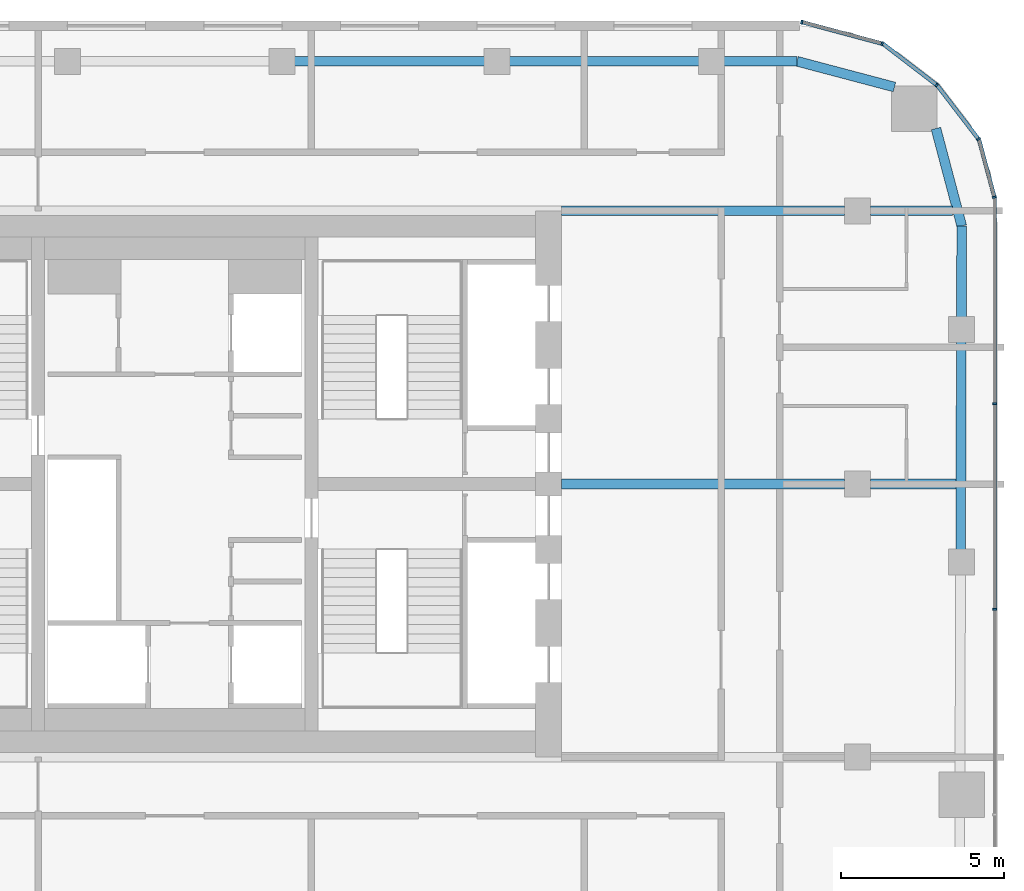
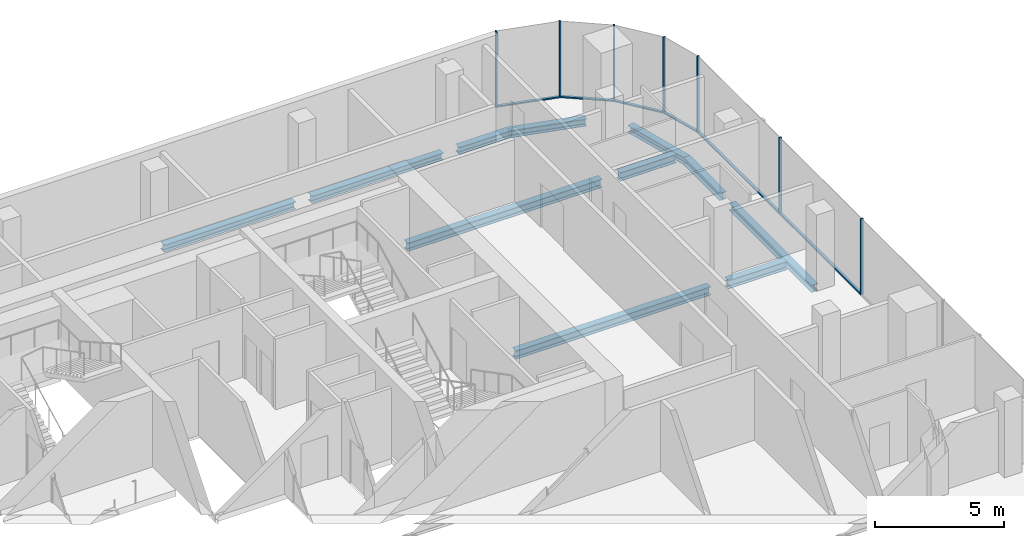
# One storey, part 11 of 21: 13 members, 11 beams, 5 elements without a shape of their own.
"""IFC4 building model written with IfcOpenShell, lengths in metres."""

from ifc_helpers import new_model, si_unit, direction, frame, origin, origin_2d, place, context, subcontext, project, spatial, rectangle, i_section, extrude, material, layer, layer_set, material_profile, profile_set, type_object, element, aggregate, save


model = new_model("IFC4")

# Units and contexts
model_context = context("Model", 3, precision=1e-05, world=origin(), true_north=direction((0.0, 1.0)))
body_context = subcontext(model_context, "Body", "Model", "MODEL_VIEW")
ifc_project = project(units=[si_unit("LENGTHUNIT", "METRE"), si_unit("AREAUNIT", "SQUARE_METRE"), si_unit("VOLUMEUNIT", "CUBIC_METRE"), si_unit("PLANEANGLEUNIT", "RADIAN"), si_unit("MASSUNIT", "GRAM", prefix="KILO")], contexts=[model_context])

# Site, building, storey
site_placement = place(None, origin())
site = spatial("IfcSite", under=ifc_project, at=site_placement, CompositionType="ELEMENT")
building_placement = place(site_placement, origin())
building = spatial("IfcBuilding", under=site, at=building_placement, Name="Marenta Gate Hotel Tower", CompositionType="ELEMENT")
storey_placement = place(building_placement, frame((0.0, 0.0, 202.10009765625)))
storey = spatial("IfcBuildingStorey", under=building, at=storey_placement, Name="L46", CompositionType="ELEMENT", Elevation=202.10009765625)

# Beams
ifc_material_1 = material(Name="Steel S355", Category="steel")
ifc_material_profile_1 = material_profile(ifc_material_1, i_section(OverallWidth=0.300048828125, OverallDepth=0.340087890625, WebThickness=0.011962890625, FlangeThickness=0.021484375, FilletRadius=0.027099609375, at=origin_2d()), Name="HEB 340")
ifc_profile_set_1 = profile_set([ifc_material_profile_1], Name="Steel S355")
beam_type_1 = type_object("IfcBeamType", Name="Edge beam HEB 340", PredefinedType="SPANDREL", material=ifc_profile_set_1)
for number, where, z_axis, x_axis, name in (
    (1, (3.661376953125, 21.39990234375, -0.43017578125), (1.0, 0.0, 0.0), (0.0, 1.0, 0.0), "L46-EB-17"),
    (2, (10.26416015625, 21.39990234375, -0.43017578125), (1.0, 0.0, 0.0), (0.0, 1.0, 0.0), "L46-EB-18"),
):
    element("IfcBeam", number, at=place(storey_placement, frame(where, z_axis=z_axis, x_axis=x_axis)), inside=storey, type_object=beam_type_1, Name=name, PredefinedType="SPANDREL", context=body_context, shape_type="SweptSolid", body=[
        extrude(i_section(OverallWidth=0.300048828125, OverallDepth=0.340087890625, WebThickness=0.011962890625, FlangeThickness=0.021484375, FilletRadius=0.027099609375, at=origin_2d()), origin(), (0.0, 0.0, 1.0), 5.8828125),
    ])
beam_1_placement = place(storey_placement, frame((16.866943359375, 21.39990234375, -0.43017578125), z_axis=(1.0, 0.0, 0.0), x_axis=(0.0, 1.0, 0.0)))
element("IfcBeam", 3, at=beam_1_placement, inside=storey, type_object=beam_type_1, Name="L46-EB-19", PredefinedType="SPANDREL", context=body_context, shape_type="SweptSolid", body=[
    extrude(i_section(OverallWidth=0.300048828125, OverallDepth=0.340087890625, WebThickness=0.011962890625, FlangeThickness=0.021484375, FilletRadius=0.027099609375, at=origin_2d()), origin(), (0.0, 0.0, 1.0), 2.267578125),
])
beam_2_placement = place(storey_placement, frame((19.134521484375, 21.39990234375, -0.43017578125), z_axis=(0.9667647815, -0.25566747398, 0.0), x_axis=(0.25566747398, 0.9667647815, 0.0)))
element("IfcBeam", 4, at=beam_2_placement, inside=storey, type_object=beam_type_1, Name="L46-EB-20", PredefinedType="SPANDREL", context=body_context, shape_type="SweptSolid", body=[
    extrude(i_section(OverallWidth=0.300048828125, OverallDepth=0.340087890625, WebThickness=0.011962890625, FlangeThickness=0.021484375, FilletRadius=0.027099609375, at=origin_2d()), origin(), (0.0, 0.0, 1.0), 3.1005859375),
])
beam_3_placement = place(storey_placement, frame((23.4072265625, 19.332275390625, -0.43017578125), z_axis=(0.255648013319, -0.966769927794, 0.0), x_axis=(0.966769927794, 0.255648013319, 0.0)))
element("IfcBeam", 5, at=beam_3_placement, inside=storey, type_object=beam_type_1, Name="L46-EB-21", PredefinedType="SPANDREL", context=body_context, shape_type="SweptSolid", body=[
    extrude(i_section(OverallWidth=0.300048828125, OverallDepth=0.340087890625, WebThickness=0.011962890625, FlangeThickness=0.021484375, FilletRadius=0.027099609375, at=origin_2d()), origin(), (0.0, 0.0, 1.0), 3.100830078125),
])
beam_4_placement = place(storey_placement, frame((24.199951171875, 16.33447265625, -0.43017578125), z_axis=(-0.003292020626, -0.999994581285, 0.0), x_axis=(0.999994581285, -0.003292020626, 0.0)))
element("IfcBeam", 6, at=beam_4_placement, inside=storey, type_object=beam_type_1, Name="L46-EB-22", PredefinedType="SPANDREL", context=body_context, shape_type="SweptSolid", body=[
    extrude(i_section(OverallWidth=0.300048828125, OverallDepth=0.340087890625, WebThickness=0.011962890625, FlangeThickness=0.021484375, FilletRadius=0.027099609375, at=origin_2d()), origin(), (0.0, 0.0, 1.0), 2.818115234375),
])
beam_5_placement = place(storey_placement, frame((24.188232421875, 12.79638671875, -0.43017578125), z_axis=(-0.00333963982, -0.999994423387, 0.0), x_axis=(0.999994423387, -0.00333963982, 0.0)))
element("IfcBeam", 7, at=beam_5_placement, inside=storey, type_object=beam_type_1, Name="L46-EB-23", PredefinedType="SPANDREL", context=body_context, shape_type="SweptSolid", body=[
    extrude(i_section(OverallWidth=0.300048828125, OverallDepth=0.340087890625, WebThickness=0.011962890625, FlangeThickness=0.021484375, FilletRadius=0.027099609375, at=origin_2d()), origin(), (0.0, 0.0, 1.0), 6.43310546875),
])
ifc_material_2 = material(Name="Steel S355", Category="steel")
ifc_material_profile_2 = material_profile(ifc_material_2, i_section(OverallWidth=0.300048828125, OverallDepth=0.39990234375, WebThickness=0.013427734375, FlangeThickness=0.02392578125, FilletRadius=0.027099609375, at=origin_2d()), Name="HEB 400")
ifc_profile_set_2 = profile_set([ifc_material_profile_2], Name="Steel S355")
beam_type_2 = type_object("IfcBeamType", Name="Girder HEB 400", PredefinedType="BEAM", material=ifc_profile_set_2)
beam_6_placement = place(storey_placement, frame((11.89990234375, 8.39990234375, -0.460205078125), z_axis=(1.0, 0.0, 0.0), x_axis=(0.0, 1.0, 0.0)))
element("IfcBeam", 8, at=beam_6_placement, inside=storey, type_object=beam_type_2, Name="L46-GD-27", PredefinedType="BEAM", context=body_context, shape_type="SweptSolid", body=[
    extrude(i_section(OverallWidth=0.300048828125, OverallDepth=0.39990234375, WebThickness=0.013427734375, FlangeThickness=0.02392578125, FilletRadius=0.027099609375, at=origin_2d()), origin(), (0.0, 0.0, 1.0), 8.7001953125),
])
beam_7_placement = place(storey_placement, frame((21.39990234375, 8.39990234375, -0.460205078125), z_axis=(1.0, 0.0, 0.0), x_axis=(0.0, 1.0, 0.0)))
element("IfcBeam", 9, at=beam_7_placement, inside=storey, type_object=beam_type_2, Name="L46-GD-28", PredefinedType="BEAM", context=body_context, shape_type="SweptSolid", body=[
    extrude(i_section(OverallWidth=0.300048828125, OverallDepth=0.39990234375, WebThickness=0.013427734375, FlangeThickness=0.02392578125, FilletRadius=0.027099609375, at=origin_2d()), origin(), (0.0, 0.0, 1.0), 2.623779296875),
])
beam_8_placement = place(storey_placement, frame((11.89990234375, 16.800048828125, -0.460205078125), z_axis=(1.0, 0.0, 0.0), x_axis=(0.0, 1.0, 0.0)))
element("IfcBeam", 10, at=beam_8_placement, inside=storey, type_object=beam_type_2, Name="L46-GD-32", PredefinedType="BEAM", context=body_context, shape_type="SweptSolid", body=[
    extrude(i_section(OverallWidth=0.300048828125, OverallDepth=0.39990234375, WebThickness=0.013427734375, FlangeThickness=0.02392578125, FilletRadius=0.027099609375, at=origin_2d()), origin(), (0.0, 0.0, 1.0), 8.7001953125),
])
beam_9_placement = place(storey_placement, frame((21.39990234375, 16.800048828125, -0.460205078125), z_axis=(1.0, 0.0, 0.0), x_axis=(0.0, 1.0, 0.0)))
element("IfcBeam", 11, at=beam_9_placement, inside=storey, type_object=beam_type_2, Name="L46-GD-33", PredefinedType="BEAM", context=body_context, shape_type="SweptSolid", body=[
    extrude(i_section(OverallWidth=0.300048828125, OverallDepth=0.39990234375, WebThickness=0.013427734375, FlangeThickness=0.02392578125, FilletRadius=0.027099609375, at=origin_2d()), origin(), (0.0, 0.0, 1.0), 2.521728515625),
])

# Curtain wall, members
ifc_material_3 = material(Name="Tinted insulated glass in bronze anodised frame", Category="glass")
ifc_layer = layer(ifc_material_3, 0.1201171875)
ifc_layer_set = layer_set([ifc_layer], Name="Tinted insulated glass in bronze anodised frame")
curtain_wall_type = type_object("IfcCurtainWallType", Name="Tower unitised curtain wall CW1", PredefinedType="NOTDEFINED", material=ifc_layer_set)
curtain_wall_1_placement = place(storey_placement, origin())
curtain_wall_1 = element("IfcCurtainWall", 12, at=curtain_wall_1_placement, inside=storey, type_object=curtain_wall_type, Name="CW1 run G11", PredefinedType="NOTDEFINED")
ifc_material_4 = material(Name="Bronze anodised aluminium", Category="aluminium")
ifc_material_profile_3 = material_profile(ifc_material_4, rectangle(XDim=0.1201171875, YDim=0.06005859375, at=origin_2d()), Name="Mullion CW1 60x120 bronze anodised aluminium")
ifc_profile_set_3 = profile_set([ifc_material_profile_3], Name="Bronze anodised aluminium")
member_type_1 = type_object("IfcMemberType", Name="Mullion CW1 60x120 bronze anodised aluminium", PredefinedType="MULLION", material=ifc_profile_set_3)
member_1_placement = place(storey_placement, frame((25.214111328125, 4.546630859375, 0.0), z_axis=(0.0, 0.0, 1.0), x_axis=(-1.0, 0.0, 0.0)))
member_1 = element("IfcMember", 13, at=member_1_placement, type_object=member_type_1, Name="CW1 mullion 5", PredefinedType="MULLION", context=body_context, shape_type="SweptSolid", body=[
    extrude(rectangle(XDim=0.1201171875, YDim=0.06005859375, at=origin_2d()), origin(), (0.0, 0.0, 1.0), 3.599853515625),
])
member_2_placement = place(storey_placement, frame((25.214111328125, 10.869384765625, 0.0), z_axis=(0.0, 0.0, 1.0), x_axis=(-1.0, 0.0, 0.0)))
member_2 = element("IfcMember", 14, at=member_2_placement, type_object=member_type_1, Name="CW1 mullion 6", PredefinedType="MULLION", context=body_context, shape_type="SweptSolid", body=[
    extrude(rectangle(XDim=0.1201171875, YDim=0.06005859375, at=origin_2d()), origin(), (0.0, 0.0, 1.0), 3.599853515625),
])

# Curtain wall, member
curtain_wall_2_placement = place(storey_placement, origin())
curtain_wall_2 = element("IfcCurtainWall", 15, at=curtain_wall_2_placement, inside=storey, type_object=curtain_wall_type, Name="CW1 run G12", PredefinedType="NOTDEFINED")
member_3_placement = place(storey_placement, frame((25.206298828125, 17.220947265625, 0.0), z_axis=(0.0, 0.0, 1.0), x_axis=(-0.965924453932, -0.258824166754, 0.0)))
member_3 = element("IfcMember", 16, at=member_3_placement, type_object=member_type_1, Name="CW1 mullion 1", PredefinedType="MULLION", context=body_context, shape_type="SweptSolid", body=[
    extrude(rectangle(XDim=0.1201171875, YDim=0.06005859375, at=origin_2d()), origin(), (0.0, 0.0, 1.0), 3.599853515625),
])

curtain_wall_3_placement = place(storey_placement, origin())
curtain_wall_3 = element("IfcCurtainWall", 17, at=curtain_wall_3_placement, inside=storey, type_object=curtain_wall_type, Name="CW1 run G13", PredefinedType="NOTDEFINED")
member_4_placement = place(storey_placement, frame((24.7158203125, 19.00634765625, 0.0), z_axis=(0.0, 0.0, 1.0), x_axis=(-0.793333335233, -0.608787499222, 0.0)))
member_4 = element("IfcMember", 18, at=member_4_placement, type_object=member_type_1, Name="CW1 mullion 1", PredefinedType="MULLION", context=body_context, shape_type="SweptSolid", body=[
    extrude(rectangle(XDim=0.1201171875, YDim=0.06005859375, at=origin_2d()), origin(), (0.0, 0.0, 1.0), 3.599853515625),
])

curtain_wall_4_placement = place(storey_placement, origin())
curtain_wall_4 = element("IfcCurtainWall", 19, at=curtain_wall_4_placement, inside=storey, type_object=curtain_wall_type, Name="CW1 run G14", PredefinedType="NOTDEFINED")
member_5_placement = place(storey_placement, frame((23.4287109375, 20.6708984375, 0.0), z_axis=(0.0, 0.0, 1.0), x_axis=(-0.608787499222, -0.793333335233, 0.0)))
member_5 = element("IfcMember", 20, at=member_5_placement, type_object=member_type_1, Name="CW1 mullion 1", PredefinedType="MULLION", context=body_context, shape_type="SweptSolid", body=[
    extrude(rectangle(XDim=0.1201171875, YDim=0.06005859375, at=origin_2d()), origin(), (0.0, 0.0, 1.0), 3.599853515625),
])

# Curtain wall, members
curtain_wall_5_placement = place(storey_placement, origin())
curtain_wall_5 = element("IfcCurtainWall", 21, at=curtain_wall_5_placement, inside=storey, type_object=curtain_wall_type, Name="CW1 run G15", PredefinedType="NOTDEFINED")
member_6_placement = place(storey_placement, frame((21.75341796875, 21.94189453125, 0.0), z_axis=(0.0, 0.0, 1.0), x_axis=(-0.258804895175, -0.96592961764, 0.0)))
member_6 = element("IfcMember", 22, at=member_6_placement, type_object=member_type_1, Name="CW1 mullion 1", PredefinedType="MULLION", context=body_context, shape_type="SweptSolid", body=[
    extrude(rectangle(XDim=0.1201171875, YDim=0.06005859375, at=origin_2d()), origin(), (0.0, 0.0, 1.0), 3.599853515625),
])
member_7_placement = place(storey_placement, frame((19.285400390625, 22.603271484375, 0.0), z_axis=(0.0, 0.0, 1.0), x_axis=(-0.258804895175, -0.96592961764, 0.0)))
member_7 = element("IfcMember", 23, at=member_7_placement, type_object=member_type_1, Name="CW1 mullion 2", PredefinedType="MULLION", context=body_context, shape_type="SweptSolid", body=[
    extrude(rectangle(XDim=0.1201171875, YDim=0.06005859375, at=origin_2d()), origin(), (0.0, 0.0, 1.0), 3.599853515625),
])

# Member
ifc_material_5 = material(Name="Bronze anodised aluminium", Category="aluminium")
ifc_material_profile_4 = material_profile(ifc_material_5, rectangle(XDim=0.1201171875, YDim=0.06005859375, at=origin_2d()), Name="Transom CW1 60x120 bronze anodised aluminium")
ifc_profile_set_4 = profile_set([ifc_material_profile_4], Name="Bronze anodised aluminium")
member_type_2 = type_object("IfcMemberType", Name="Transom CW1 60x120 bronze anodised aluminium", PredefinedType="USERDEFINED", material=ifc_profile_set_4)
member_8_placement = place(storey_placement, frame((25.214111328125, 4.57666015625, 0.02978515625), z_axis=(0.0, 1.0, 0.0), x_axis=(-1.0, 0.0, 0.0)))
member_8 = element("IfcMember", 24, at=member_8_placement, type_object=member_type_2, Name="CW1 transom 5.1", ObjectType="TRANSOM", PredefinedType="USERDEFINED", context=body_context, shape_type="SweptSolid", body=[
    extrude(rectangle(XDim=0.1201171875, YDim=0.06005859375, at=origin_2d()), origin(), (0.0, 0.0, 1.0), 6.2626953125),
])

member_9_placement = place(storey_placement, frame((25.214111328125, 10.899169921875, 0.02978515625), z_axis=(0.0, 1.0, 0.0), x_axis=(-1.0, 0.0, 0.0)))
member_9 = element("IfcMember", 25, at=member_9_placement, type_object=member_type_2, Name="CW1 transom 6.1", ObjectType="TRANSOM", PredefinedType="USERDEFINED", context=body_context, shape_type="SweptSolid", body=[
    extrude(rectangle(XDim=0.1201171875, YDim=0.06005859375, at=origin_2d()), origin(), (0.0, 0.0, 1.0), 6.292724609375),
])

aggregate(curtain_wall_1, [member_1, member_2, member_8, member_9])

member_10_placement = place(storey_placement, frame((25.198486328125, 17.249755859375, 0.02978515625), z_axis=(-0.258865341007, 0.96591342015, 0.0), x_axis=(-0.96591342015, -0.258865341007, 0.0)))
member_10 = element("IfcMember", 26, at=member_10_placement, type_object=member_type_2, Name="CW1 transom 1.1", ObjectType="TRANSOM", PredefinedType="USERDEFINED", context=body_context, shape_type="SweptSolid", body=[
    extrude(rectangle(XDim=0.1201171875, YDim=0.06005859375, at=origin_2d()), origin(), (0.0, 0.0, 1.0), 1.793701171875),
])

aggregate(curtain_wall_2, [member_3, member_10])

member_11_placement = place(storey_placement, frame((24.69775390625, 19.030029296875, 0.02978515625), z_axis=(-0.608787337271, 0.79333345951, 0.0), x_axis=(-0.79333345951, -0.608787337271, 0.0)))
member_11 = element("IfcMember", 27, at=member_11_placement, type_object=member_type_2, Name="CW1 transom 1.1", ObjectType="TRANSOM", PredefinedType="USERDEFINED", context=body_context, shape_type="SweptSolid", body=[
    extrude(rectangle(XDim=0.1201171875, YDim=0.06005859375, at=origin_2d()), origin(), (0.0, 0.0, 1.0), 2.045166015625),
])

aggregate(curtain_wall_3, [member_4, member_11])

member_12_placement = place(storey_placement, frame((23.405029296875, 20.689208984375, 0.02978515625), z_axis=(-0.793391112466, 0.60871220019, 0.0), x_axis=(-0.60871220019, -0.793391112466, 0.0)))
member_12 = element("IfcMember", 28, at=member_12_placement, type_object=member_type_2, Name="CW1 transom 1.1", ObjectType="TRANSOM", PredefinedType="USERDEFINED", context=body_context, shape_type="SweptSolid", body=[
    extrude(rectangle(XDim=0.1201171875, YDim=0.06005859375, at=origin_2d()), origin(), (0.0, 0.0, 1.0), 2.045166015625),
])

aggregate(curtain_wall_4, [member_5, member_12])

member_13_placement = place(storey_placement, frame((21.724609375, 21.94970703125, 0.02978515625), z_axis=(-0.965930582093, 0.258801295547, 0.0), x_axis=(-0.258801295547, -0.965930582093, 0.0)))
member_13 = element("IfcMember", 29, at=member_13_placement, type_object=member_type_2, Name="CW1 transom 1.1", ObjectType="TRANSOM", PredefinedType="USERDEFINED", context=body_context, shape_type="SweptSolid", body=[
    extrude(rectangle(XDim=0.1201171875, YDim=0.06005859375, at=origin_2d()), origin(), (0.0, 0.0, 1.0), 2.4951171875),
])

aggregate(curtain_wall_5, [member_6, member_7, member_13])

save(model, "model.ifc")
